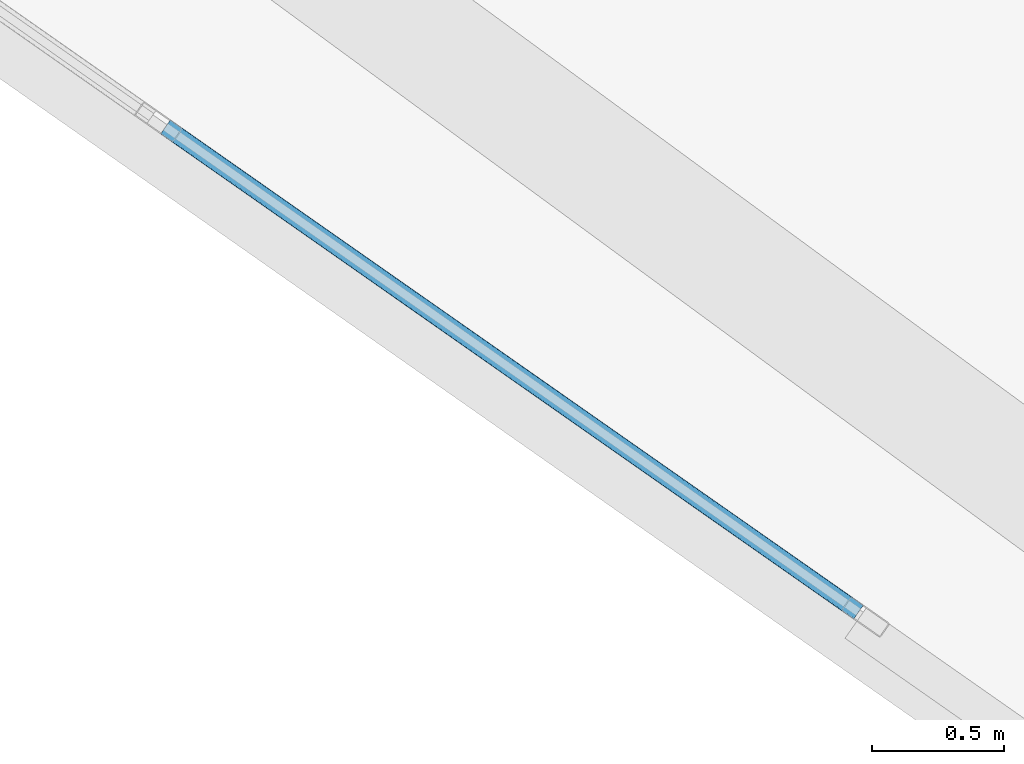
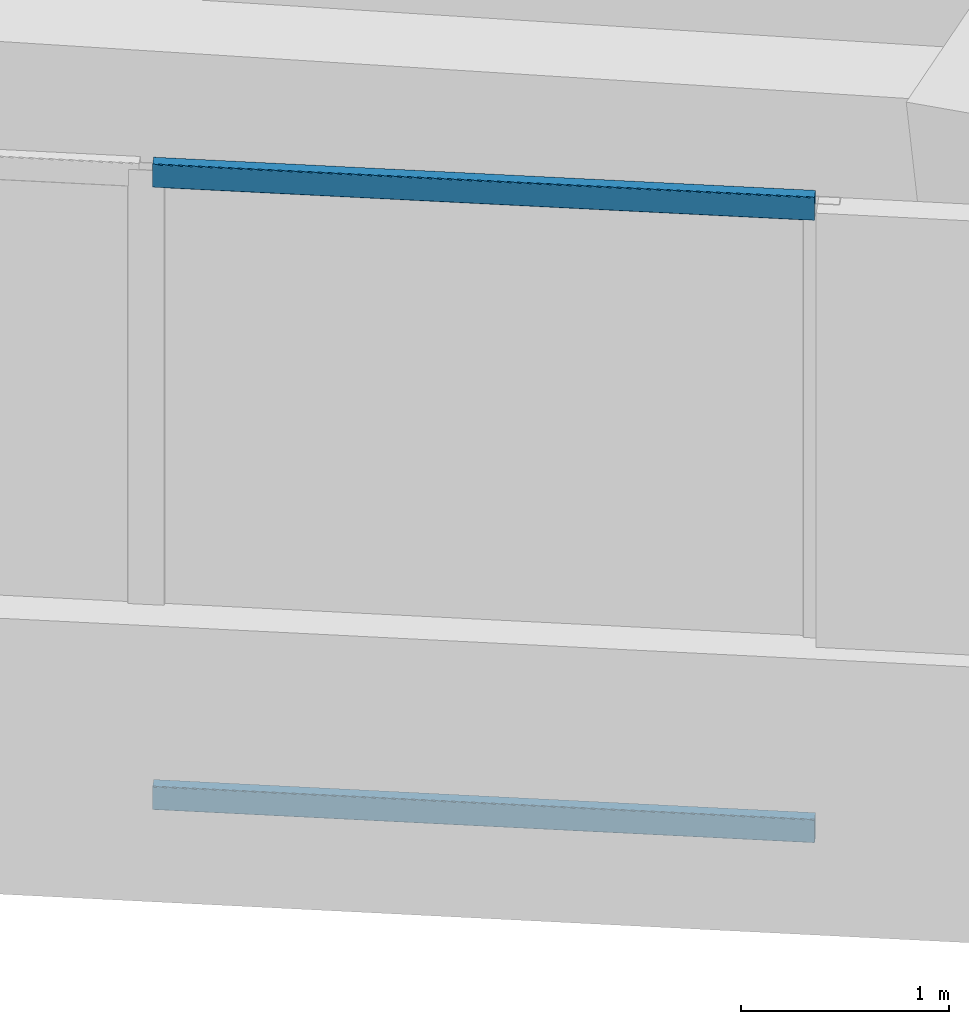
# One storey, part 6 of 22: 2 members, 1 element without a shape of its own.
"""IFC4 building model written with IfcOpenShell, lengths in metres."""

from ifc_helpers import new_model, si_unit, direction, frame, origin, origin_2d, place, context, subcontext, project, spatial, hollow_rectangle, extrude, source, transform, mapped, material, material_profile, profile_set, type_object, element, aggregate, save


model = new_model("IFC4")

# Units and contexts
model_context = context("Model", 3, precision=1e-05, world=origin(), true_north=direction((0.0, 1.0)))
body_context = subcontext(model_context, "Body", "Model", "MODEL_VIEW")
ifc_project = project(units=[si_unit("LENGTHUNIT", "METRE"), si_unit("AREAUNIT", "SQUARE_METRE"), si_unit("VOLUMEUNIT", "CUBIC_METRE"), si_unit("PLANEANGLEUNIT", "RADIAN"), si_unit("MASSUNIT", "GRAM", prefix="KILO")], contexts=[model_context])

# Site, building, storey
site_placement = place(None, origin())
site = spatial("IfcSite", under=ifc_project, at=site_placement, CompositionType="ELEMENT")
building_placement = place(site_placement, origin())
building = spatial("IfcBuilding", under=site, at=building_placement, Name="Torre Montelarca", CompositionType="ELEMENT")
storey_placement = place(building_placement, frame((0.0, 0.0, 196.0)))
storey = spatial("IfcBuildingStorey", under=building, at=storey_placement, Name="L44", CompositionType="ELEMENT", Elevation=196.0)

# Curtain wall, members
ifc_material_1 = material(Name="Insulated low-E laminated glass", Category="glass")
curtain_wall_type = type_object("IfcCurtainWallType", Name="CW-SYS-Z2", PredefinedType="USERDEFINED", material=ifc_material_1)
curtain_wall_placement = place(storey_placement, origin())
curtain_wall = element("IfcCurtainWall", 1, at=curtain_wall_placement, inside=storey, type_object=curtain_wall_type, Name="L44 Curtain Wall Run CW-T3-L44-E01-B2", ObjectType="UNITISED GLAZING", PredefinedType="USERDEFINED")
ifc_material_2 = material(Name="Anodised aluminium AA 6063-T6", Category="aluminium")
ifc_material_profile = material_profile(ifc_material_2, hollow_rectangle(XDim=0.06494140625, YDim=0.139892578125, WallThickness=0.00390625, InnerFilletRadius=0.00390625, OuterFilletRadius=0.008056640625, at=origin_2d()), Name="ALU65X140X4", Category="aluminium")
ifc_profile_set = profile_set([ifc_material_profile], Name="Anodised aluminium AA 6063-T6")
member_type = type_object("IfcMemberType", Name="CWT-ALU140", PredefinedType="USERDEFINED", material=ifc_profile_set)
shared_shape = source(origin(), body_context, "Body", "SweptSolid", [
    extrude(hollow_rectangle(XDim=0.06494140625, YDim=0.139892578125, WallThickness=0.00390625, InnerFilletRadius=0.00390625, OuterFilletRadius=0.008056640625, at=origin_2d()), origin(), (0.0, 0.0, 1.0), 3.19677734375),
])
member_1_placement = place(storey_placement, frame((11.79638671875, 16.735107421875, 0.032470703125), z_axis=(0.819167332191, -0.573554602345, 0.0), x_axis=(0.573554602345, 0.819167332191, 0.0)))
member_1 = element("IfcMember", 2, at=member_1_placement, type_object=member_type, Name="CW transom 2.1", ObjectType="TRANSOM", PredefinedType="USERDEFINED", context=body_context, shape_type="MappedRepresentation", body=[
    mapped(shared_shape, transform((0.0, 0.0, 0.0), scale=1.0)),
])
member_2_placement = place(storey_placement, frame((11.79638671875, 16.735107421875, 3.6875), z_axis=(0.819167332191, -0.573554602345, 0.0), x_axis=(0.573554602345, 0.819167332191, 0.0)))
member_2 = element("IfcMember", 3, at=member_2_placement, type_object=member_type, Name="CW transom 2.2", ObjectType="TRANSOM", PredefinedType="USERDEFINED", context=body_context, shape_type="MappedRepresentation", body=[
    mapped(shared_shape, transform((0.0, 0.0, 0.0), scale=1.0)),
])
aggregate(curtain_wall, [member_1, member_2])

save(model, "model.ifc")
